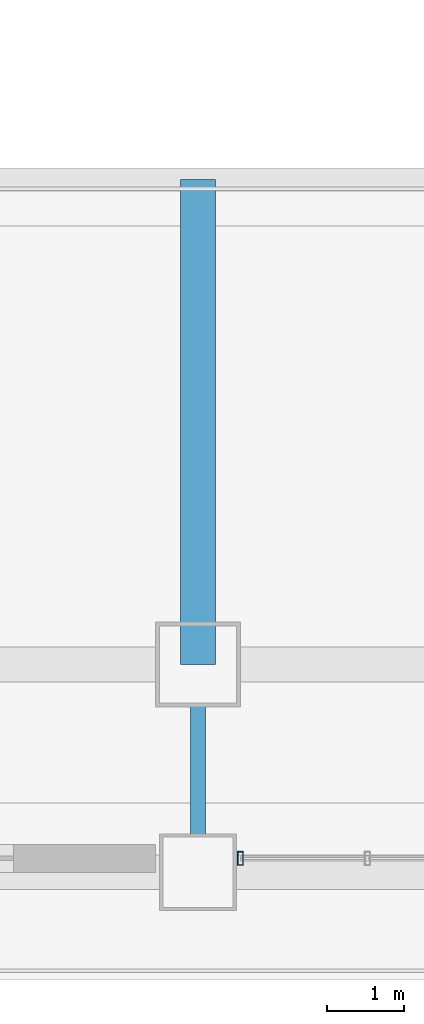
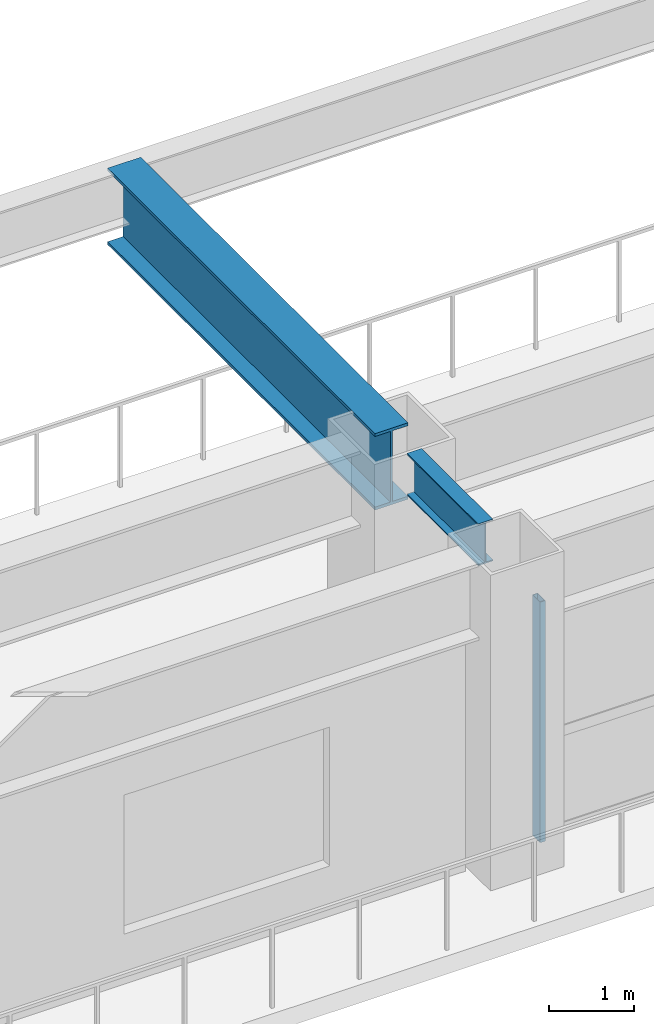
# One storey, part 2 of 14: 2 beams, 1 member, 1 element without a shape of its own.
"""IFC4 building model written with IfcOpenShell, lengths in metres."""

from ifc_helpers import new_model, si_unit, direction, frame, origin, origin_2d, place, context, subcontext, project, spatial, hollow_rectangle, i_section, extrude, source, transform, mapped, material, layer, layer_set, material_profile, profile_set, type_object, element, aggregate, save


model = new_model("IFC4")

# Units and contexts
model_context = context("Model", 3, precision=1e-05, world=origin(), true_north=direction((0.0, 1.0)))
body_context = subcontext(model_context, "Body", "Model", "MODEL_VIEW")
ifc_project = project(units=[si_unit("LENGTHUNIT", "METRE"), si_unit("AREAUNIT", "SQUARE_METRE"), si_unit("VOLUMEUNIT", "CUBIC_METRE"), si_unit("PLANEANGLEUNIT", "RADIAN"), si_unit("MASSUNIT", "GRAM", prefix="KILO")], contexts=[model_context])

# Site, building, storey
site_placement = place(None, origin())
site = spatial("IfcSite", under=ifc_project, at=site_placement, CompositionType="ELEMENT")
building_placement = place(site_placement, origin())
building = spatial("IfcBuilding", under=site, at=building_placement, Name="Giltprow Tower", CompositionType="ELEMENT")
storey_placement = place(building_placement, frame((0.0, 0.0, 10.39990234375)))
storey = spatial("IfcBuildingStorey", under=building, at=storey_placement, Name="L03", CompositionType="ELEMENT", Elevation=10.39990234375)

# Beams
ifc_material_1 = material(Name="Structural steel Q355B", Category="steel")
ifc_material_profile_1 = material_profile(ifc_material_1, i_section(OverallWidth=0.199951171875, OverallDepth=0.60009765625, WebThickness=0.010986328125, FlangeThickness=0.01708984375, at=origin_2d()), Name="HN 600x200x11x17")
ifc_profile_set_1 = profile_set([ifc_material_profile_1], Name="Structural steel Q355B")
beam_type_1 = type_object("IfcBeamType", Name="BM-GIRD-HN600", PredefinedType="BEAM", material=ifc_profile_set_1)
shared_shape_1 = source(origin(), body_context, "Body", "SweptSolid", [
    extrude(i_section(OverallWidth=0.199951171875, OverallDepth=0.60009765625, WebThickness=0.010986328125, FlangeThickness=0.01708984375, at=origin_2d()), origin(), (0.0, 0.0, 1.0), 1.679931640625),
])
beam_1_placement = place(storey_placement, frame((30.800048828125, 1.0849609375, 4.239990234375), z_axis=(0.0, 1.0, 0.0), x_axis=(-1.0, 0.0, 0.0)))
element("IfcBeam", 1, at=beam_1_placement, inside=storey, type_object=beam_type_1, Name="L03 South Perimeter Tie S2", PredefinedType="BEAM", context=body_context, shape_type="MappedRepresentation", body=[
    mapped(shared_shape_1, transform((0.0, 0.0, 0.0), x_axis=(1.0, 0.0, 0.0), y_axis=(0.0, 1.0, 0.0), z_axis=(0.0, 0.0, 1.0), scale=1.0)),
])
ifc_material_2 = material(Name="Structural steel Q420GJC", Category="steel")
ifc_material_profile_2 = material_profile(ifc_material_2, i_section(OverallWidth=0.449951171875, OverallDepth=1.10009765625, WebThickness=0.02587890625, FlangeThickness=0.0419921875, at=origin_2d()), Name="WH 1100x450x26x42")
ifc_profile_set_2 = profile_set([ifc_material_profile_2], Name="Structural steel Q420GJC")
beam_type_2 = type_object("IfcBeamType", Name="BM-GIRD-WH1100", PredefinedType="BEAM", material=ifc_profile_set_2)
shared_shape_2 = source(origin(), body_context, "Body", "SweptSolid", [
    extrude(i_section(OverallWidth=0.449951171875, OverallDepth=1.10009765625, WebThickness=0.02587890625, FlangeThickness=0.0419921875, at=origin_2d()), origin(), (0.0, 0.0, 1.0), 6.300048828125),
])
beam_2_placement = place(storey_placement, frame((30.800048828125, 3.300048828125, 3.989990234375), z_axis=(0.0, 1.0, 0.0), x_axis=(-1.0, 0.0, 0.0)))
element("IfcBeam", 2, at=beam_2_placement, inside=storey, type_object=beam_type_2, Name="L03 Atrium South Girder S2", PredefinedType="BEAM", context=body_context, shape_type="MappedRepresentation", body=[
    mapped(shared_shape_2, transform((0.0, 0.0, 0.0), x_axis=(1.0, 0.0, 0.0), y_axis=(0.0, 1.0, 0.0), z_axis=(0.0, 0.0, 1.0), scale=1.0)),
])

# Curtain wall, member
ifc_material_3 = material(Name="Anodized bronze", Category="metal")
ifc_layer = layer(ifc_material_3, 0.179931640625, Name="Anodized bronze")
ifc_layer_set = layer_set([ifc_layer], Name="Anodized bronze")
curtain_wall_type = type_object("IfcCurtainWallType", Name="CW-POD-STOREFRONT", PredefinedType="NOTDEFINED", material=ifc_layer_set)
curtain_wall_placement = place(storey_placement, origin())
curtain_wall = element("IfcCurtainWall", 3, at=curtain_wall_placement, inside=storey, type_object=curtain_wall_type, Name="L03 South Waterfront Storefront 3", PredefinedType="NOTDEFINED")
ifc_material_profile_3 = material_profile(ifc_material_3, hollow_rectangle(XDim=0.074951171875, YDim=0.179931640625, WallThickness=0.008056640625, at=origin_2d()), Name="RHS 180x75x8")
ifc_profile_set_3 = profile_set([ifc_material_profile_3], Name="Anodized bronze")
member_type = type_object("IfcMemberType", Name="CW-MULLION-180x75", PredefinedType="MULLION", material=ifc_profile_set_3)
shared_shape_3 = source(origin(), body_context, "Body", "SweptSolid", [
    extrude(hollow_rectangle(XDim=0.074951171875, YDim=0.179931640625, WallThickness=0.008056640625, at=origin_2d()), origin(), (0.0, 0.0, 1.0), 3.460205078125),
])
member_placement = place(storey_placement, frame((31.35009765625, 0.780029296875, -0.02001953125), z_axis=(0.0, 0.0, 1.0), x_axis=(1.0, 0.0, 0.0)))
member = element("IfcMember", 4, at=member_placement, type_object=member_type, Name="L03 South Waterfront Storefront 3 Mullion 1", PredefinedType="MULLION", context=body_context, shape_type="MappedRepresentation", body=[
    mapped(shared_shape_3, transform((0.0, 0.0, 0.0), x_axis=(1.0, 0.0, 0.0), y_axis=(0.0, 1.0, 0.0), z_axis=(0.0, 0.0, 1.0), scale=1.0)),
])
aggregate(curtain_wall, [member])

save(model, "model.ifc")
